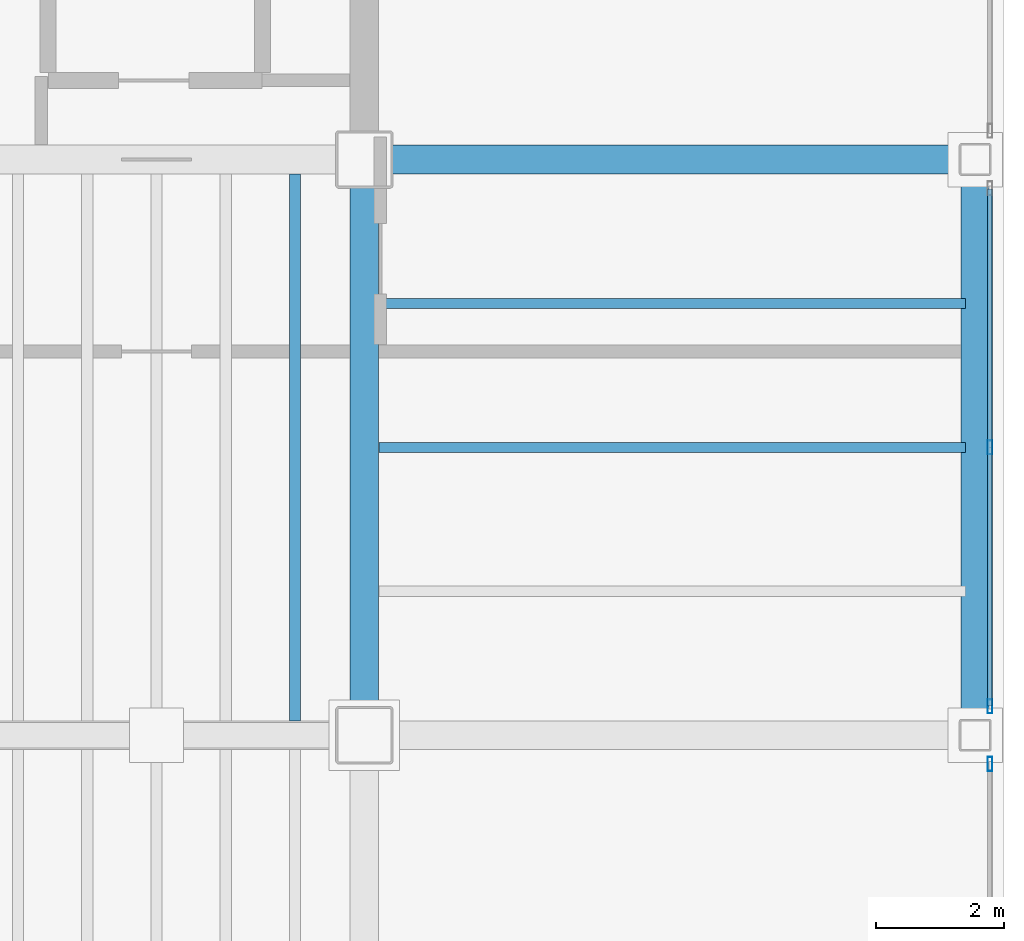
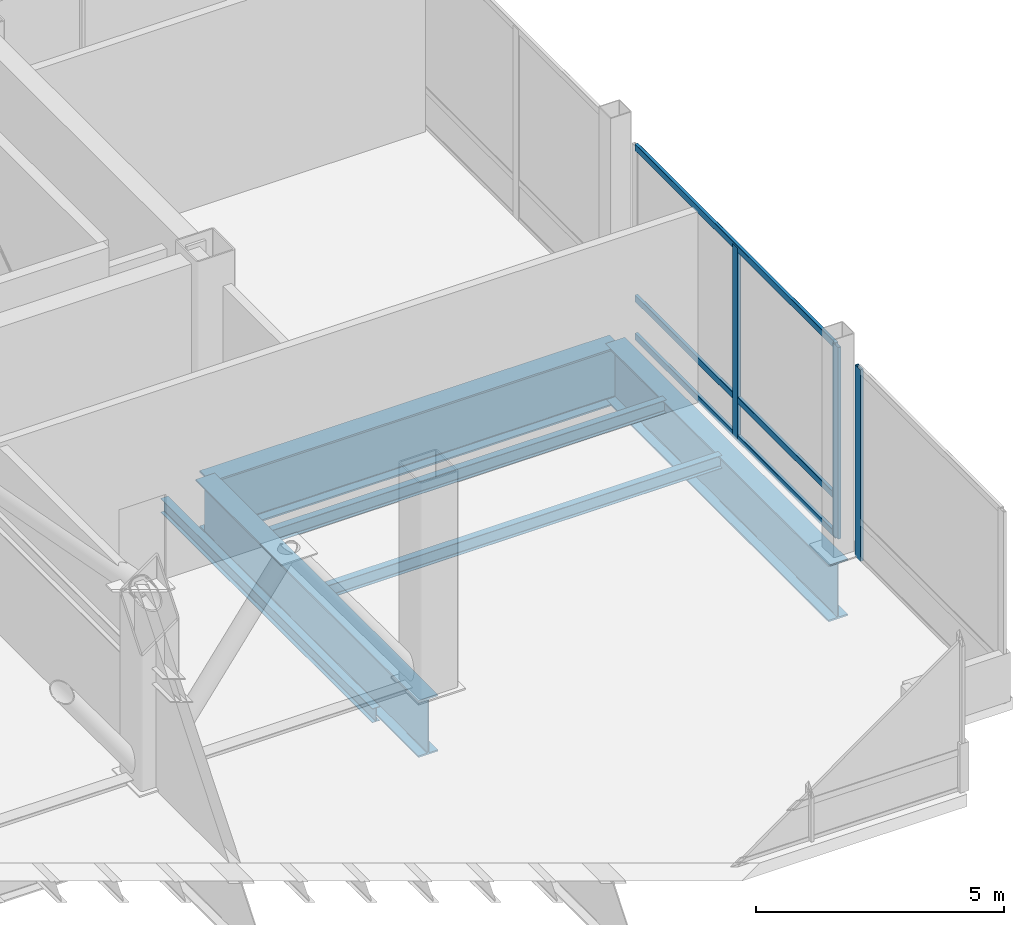
# One storey, part 13 of 18: 6 beams, 6 members, 2 elements without a shape of their own.
"""IFC4 building model written with IfcOpenShell, lengths in metres."""

from ifc_helpers import new_model, si_unit, direction, frame, origin, origin_2d, place, context, subcontext, project, spatial, hollow_rectangle, i_section, extrude, material, material_profile, profile_set, type_object, element, aggregate, save


model = new_model("IFC4")

# Units and contexts
model_context = context("Model", 3, precision=1e-05, world=origin(), true_north=direction((0.0, 1.0)))
body_context = subcontext(model_context, "Body", "Model", "MODEL_VIEW")
ifc_project = project(units=[si_unit("LENGTHUNIT", "METRE"), si_unit("AREAUNIT", "SQUARE_METRE"), si_unit("VOLUMEUNIT", "CUBIC_METRE"), si_unit("PLANEANGLEUNIT", "RADIAN"), si_unit("MASSUNIT", "GRAM", prefix="KILO")], contexts=[model_context])

# Site, building, storey
site_placement = place(None, origin())
site = spatial("IfcSite", under=ifc_project, at=site_placement, CompositionType="ELEMENT")
building_placement = place(site_placement, origin())
building = spatial("IfcBuilding", under=site, at=building_placement, Name="Noeulbin Bourse Tower", CompositionType="ELEMENT")
storey_placement = place(building_placement, frame((0.0, 0.0, 200.699951171875)))
storey = spatial("IfcBuildingStorey", under=building, at=storey_placement, Name="L50", CompositionType="ELEMENT", Elevation=200.699951171875)

# Beams
ifc_material_1 = material(Name="Steel S355", Category="steel")
ifc_material_profile_1 = material_profile(ifc_material_1, i_section(OverallWidth=0.159912109375, OverallDepth=0.320068359375, WebThickness=0.006591796875, FlangeThickness=0.010009765625, FilletRadius=0.012939453125, at=origin_2d()), Name="H-320x160x6.5x10", Category="LoadBearing")
ifc_profile_set_1 = profile_set([ifc_material_profile_1], Name="Steel S355")
beam_type_1 = type_object("IfcBeamType", Name="BM-JST-320", PredefinedType="JOIST", material=ifc_profile_set_1)
for number, where, z_axis, x_axis, name in (
    (1, (44.22509765625, 24.5, -0.4599609375), (1.0, 0.0, 0.0), (0.0, 1.0, 0.0), "Wing Composite Joist L50-E51"),
    (2, (44.22509765625, 26.75, -0.4599609375), (1.0, 0.0, 0.0), (0.0, 1.0, 0.0), "Wing Composite Joist L50-E52"),
):
    element("IfcBeam", number, at=place(storey_placement, frame(where, z_axis=z_axis, x_axis=x_axis)), inside=storey, type_object=beam_type_1, Name=name, PredefinedType="JOIST", context=body_context, shape_type="SweptSolid", body=[
        extrude(i_section(OverallWidth=0.159912109375, OverallDepth=0.320068359375, WebThickness=0.006591796875, FlangeThickness=0.010009765625, FilletRadius=0.012939453125, at=origin_2d()), origin(), (0.0, 0.0, 1.0), 9.1748046875),
    ])
ifc_material_profile_2 = material_profile(ifc_material_1, i_section(OverallWidth=0.175048828125, OverallDepth=0.35009765625, WebThickness=0.007080078125, FlangeThickness=0.010986328125, FilletRadius=0.013916015625, at=origin_2d()), Name="H-350x175x7x11", Category="LoadBearing")
ifc_profile_set_2 = profile_set([ifc_material_profile_2], Name="Steel S355")
beam_type_2 = type_object("IfcBeamType", Name="BM-JST-350", PredefinedType="JOIST", material=ifc_profile_set_2)
beam_1_placement = place(storey_placement, frame((42.916748046875, 20.22509765625, -0.474853515625), z_axis=(0.0, 1.0, 0.0), x_axis=(-1.0, 0.0, 0.0)))
element("IfcBeam", 3, at=beam_1_placement, inside=storey, type_object=beam_type_2, Name="Tower Composite Joist L50-46", PredefinedType="JOIST", context=body_context, shape_type="SweptSolid", body=[
    extrude(i_section(OverallWidth=0.175048828125, OverallDepth=0.35009765625, WebThickness=0.007080078125, FlangeThickness=0.010986328125, FilletRadius=0.013916015625, at=origin_2d()), origin(), (0.0, 0.0, 1.0), 8.5498046875),
])
ifc_material_2 = material(Name="Steel S460", Category="steel")
ifc_material_profile_3 = material_profile(ifc_material_2, i_section(OverallWidth=0.449951171875, OverallDepth=1.39990234375, WebThickness=0.02392578125, FlangeThickness=0.0400390625, FilletRadius=0.02392578125, at=origin_2d()), Name="PG-1400x450x24x40", Category="LoadBearing")
ifc_profile_set_3 = profile_set([ifc_material_profile_3], Name="Steel S460")
beam_type_3 = type_object("IfcBeamType", Name="BM-TRF-1400", PredefinedType="USERDEFINED", material=ifc_profile_set_3)
beam_2_placement = place(storey_placement, frame((44.0, 29.0, -1.0), z_axis=(1.0, 0.0, 0.0), x_axis=(0.0, 1.0, 0.0)))
element("IfcBeam", 4, at=beam_2_placement, inside=storey, type_object=beam_type_3, Name="Tower Primary Girder EW L50-2.6", ObjectType="GIRDER", PredefinedType="USERDEFINED", context=body_context, shape_type="SweptSolid", body=[
    extrude(i_section(OverallWidth=0.449951171875, OverallDepth=1.39990234375, WebThickness=0.02392578125, FlangeThickness=0.0400390625, FilletRadius=0.02392578125, at=origin_2d()), origin(), (0.0, 0.0, 1.0), 9.550048828125),
])
for number, where, z_axis, x_axis, name in (
    (5, (44.0, 20.0, -1.0), (0.0, 1.0, 0.0), (-1.0, 0.0, 0.0), "Tower Primary Girder NS L50-5.2"),
    (6, (53.550048828125, 20.0, -1.0), (0.0, 1.0, 0.0), (-1.0, 0.0, 0.0), "East Spandrel L50-1"),
):
    element("IfcBeam", number, at=place(storey_placement, frame(where, z_axis=z_axis, x_axis=x_axis)), inside=storey, type_object=beam_type_3, Name=name, ObjectType="GIRDER", PredefinedType="USERDEFINED", context=body_context, shape_type="SweptSolid", body=[
        extrude(i_section(OverallWidth=0.449951171875, OverallDepth=1.39990234375, WebThickness=0.02392578125, FlangeThickness=0.0400390625, FilletRadius=0.02392578125, at=origin_2d()), origin(), (0.0, 0.0, 1.0), 9.0),
    ])

# Curtain wall, member
ifc_material_3 = material(Name="Translucent Ceramic-Fritted Glass", Category="glass")
curtain_wall_type = type_object("IfcCurtainWallType", Name="CW-SYS-5", PredefinedType="NOTDEFINED", material=ifc_material_3)
curtain_wall_1_placement = place(storey_placement, origin())
curtain_wall_1 = element("IfcCurtainWall", 7, at=curtain_wall_1_placement, inside=storey, type_object=curtain_wall_type, Name="Unitised Curtain Wall CW-L50-E-S1", PredefinedType="NOTDEFINED")
ifc_material_4 = material(Name="Anodised Aluminium 6063-T6", Category="aluminium")
ifc_material_profile_4 = material_profile(ifc_material_4, hollow_rectangle(XDim=0.074951171875, YDim=0.219970703125, WallThickness=0.0048828125, InnerFilletRadius=0.00244140625, OuterFilletRadius=0.0048828125, at=origin_2d()), Name="ALU-MULL-75x220x5", Category="LoadBearing")
ifc_profile_set_4 = profile_set([ifc_material_profile_4], Name="Anodised Aluminium 6063-T6")
member_type_1 = type_object("IfcMemberType", Name="CW-SYS-5-MUL", PredefinedType="MULLION", material=ifc_profile_set_4)
member_1_placement = place(storey_placement, frame((53.780029296875, 19.550048828125, -0.02001953125), z_axis=(0.0, 0.0, 1.0), x_axis=(1.0, 0.0, 0.0)))
member_1 = element("IfcMember", 8, at=member_1_placement, type_object=member_type_1, Name="Curtain Wall Mullion CW-L50-E-S1-M01", PredefinedType="MULLION", context=body_context, shape_type="SweptSolid", body=[
    extrude(hollow_rectangle(XDim=0.074951171875, YDim=0.219970703125, WallThickness=0.0048828125, InnerFilletRadius=0.00244140625, OuterFilletRadius=0.0048828125, at=origin_2d()), origin(), (0.0, 0.0, 1.0), 4.719970703125),
])
aggregate(curtain_wall_1, [member_1])

# Curtain wall, members
curtain_wall_2_placement = place(storey_placement, origin())
curtain_wall_2 = element("IfcCurtainWall", 9, at=curtain_wall_2_placement, inside=storey, type_object=curtain_wall_type, Name="Unitised Curtain Wall CW-L50-E-S2", PredefinedType="NOTDEFINED")
member_2_placement = place(storey_placement, frame((53.780029296875, 20.449951171875, -0.02001953125), z_axis=(0.0, 0.0, 1.0), x_axis=(1.0, 0.0, 0.0)))
member_2 = element("IfcMember", 10, at=member_2_placement, type_object=member_type_1, Name="Curtain Wall Mullion CW-L50-E-S2-M00", PredefinedType="MULLION", context=body_context, shape_type="SweptSolid", body=[
    extrude(hollow_rectangle(XDim=0.074951171875, YDim=0.219970703125, WallThickness=0.0048828125, InnerFilletRadius=0.00244140625, OuterFilletRadius=0.0048828125, at=origin_2d()), origin(), (0.0, 0.0, 1.0), 4.719970703125),
])
member_3_placement = place(storey_placement, frame((53.780029296875, 24.5, -0.02001953125), z_axis=(0.0, 0.0, 1.0), x_axis=(1.0, 0.0, 0.0)))
member_3 = element("IfcMember", 11, at=member_3_placement, type_object=member_type_1, Name="Curtain Wall Mullion CW-L50-E-S2-M01", PredefinedType="MULLION", context=body_context, shape_type="SweptSolid", body=[
    extrude(hollow_rectangle(XDim=0.074951171875, YDim=0.219970703125, WallThickness=0.0048828125, InnerFilletRadius=0.00244140625, OuterFilletRadius=0.0048828125, at=origin_2d()), origin(), (0.0, 0.0, 1.0), 4.719970703125),
])
ifc_material_profile_5 = material_profile(ifc_material_4, hollow_rectangle(XDim=0.074951171875, YDim=0.159912109375, WallThickness=0.0048828125, InnerFilletRadius=0.00244140625, OuterFilletRadius=0.0048828125, at=origin_2d()), Name="ALU-TRAN-75x160x5", Category="LoadBearing")
ifc_profile_set_5 = profile_set([ifc_material_profile_5], Name="Anodised Aluminium 6063-T6")
member_type_2 = type_object("IfcMemberType", Name="CW-SYS-5-TRN", PredefinedType="USERDEFINED", material=ifc_profile_set_5)
member_4_placement = place(storey_placement, frame((53.780029296875, 20.4599609375, 0.010009765625), z_axis=(0.0, 1.0, 0.0), x_axis=(-1.0, 0.0, 0.0)))
member_4 = element("IfcMember", 12, at=member_4_placement, type_object=member_type_2, Name="Curtain Wall Transom CW-L50-E-S2-T00", ObjectType="TRANSOM", PredefinedType="USERDEFINED", context=body_context, shape_type="SweptSolid", body=[
    extrude(hollow_rectangle(XDim=0.074951171875, YDim=0.159912109375, WallThickness=0.0048828125, InnerFilletRadius=0.00244140625, OuterFilletRadius=0.0048828125, at=origin_2d()), origin(), (0.0, 0.0, 1.0), 8.080078125),
])
member_5_placement = place(storey_placement, frame((53.780029296875, 20.4599609375, 0.949951171875), z_axis=(0.0, 1.0, 0.0), x_axis=(-1.0, 0.0, 0.0)))
member_5 = element("IfcMember", 13, at=member_5_placement, type_object=member_type_2, Name="Curtain Wall Transom CW-L50-E-S2-T01", ObjectType="TRANSOM", PredefinedType="USERDEFINED", context=body_context, shape_type="SweptSolid", body=[
    extrude(hollow_rectangle(XDim=0.074951171875, YDim=0.159912109375, WallThickness=0.0048828125, InnerFilletRadius=0.00244140625, OuterFilletRadius=0.0048828125, at=origin_2d()), origin(), (0.0, 0.0, 1.0), 8.080078125),
])
member_6_placement = place(storey_placement, frame((53.780029296875, 20.4599609375, 4.670166015625), z_axis=(0.0, 1.0, 0.0), x_axis=(-1.0, 0.0, 0.0)))
member_6 = element("IfcMember", 14, at=member_6_placement, type_object=member_type_2, Name="Curtain Wall Transom CW-L50-E-S2-T02", ObjectType="TRANSOM", PredefinedType="USERDEFINED", context=body_context, shape_type="SweptSolid", body=[
    extrude(hollow_rectangle(XDim=0.074951171875, YDim=0.159912109375, WallThickness=0.0048828125, InnerFilletRadius=0.00244140625, OuterFilletRadius=0.0048828125, at=origin_2d()), origin(), (0.0, 0.0, 1.0), 8.080078125),
])
aggregate(curtain_wall_2, [member_2, member_3, member_4, member_5, member_6])

save(model, "model.ifc")
